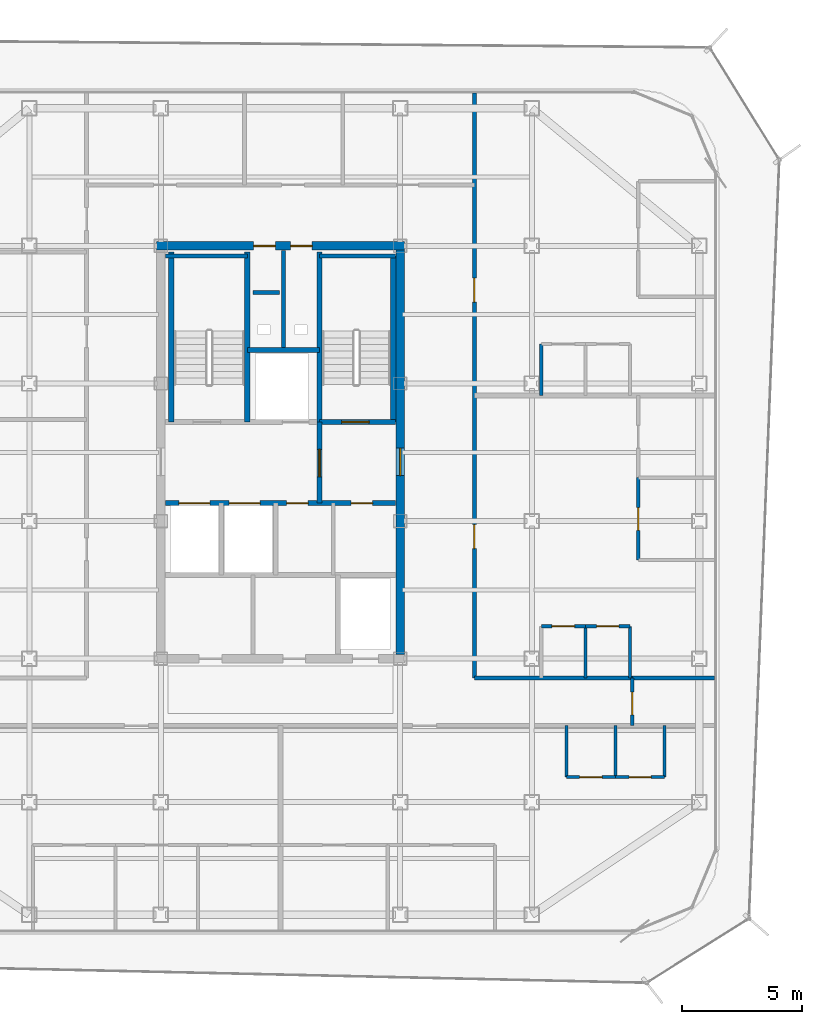
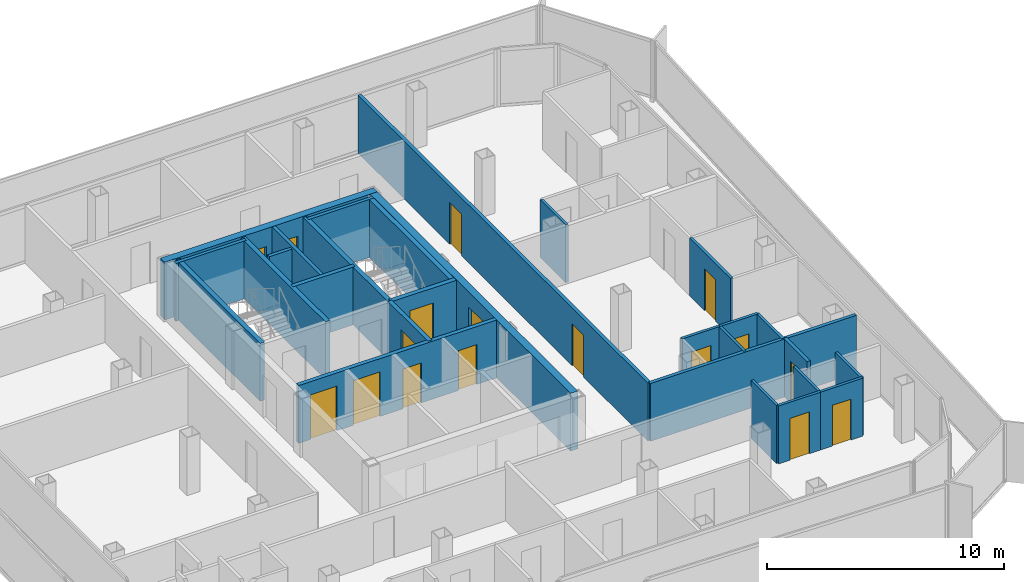
# One storey, part 11 of 15: 29 walls, 17 doors, 17 openings.
"""IFC4 building model written with IfcOpenShell, lengths in metres."""

from ifc_helpers import new_model, si_unit, direction, frame, frame_2d, origin, place, context, subcontext, project, spatial, rectangle, extrude, material, layer, layer_set, type_object, element, fill, save


model = new_model("IFC4")

# Units and contexts
model_context = context("Model", 3, precision=1e-05, world=origin(), true_north=direction((0.0, 1.0)))
body_context = subcontext(model_context, "Body", "Model", "MODEL_VIEW")
ifc_project = project(units=[si_unit("LENGTHUNIT", "METRE"), si_unit("AREAUNIT", "SQUARE_METRE"), si_unit("VOLUMEUNIT", "CUBIC_METRE"), si_unit("PLANEANGLEUNIT", "RADIAN"), si_unit("MASSUNIT", "GRAM", prefix="KILO")], contexts=[model_context])

# Site, building, storey
site_placement = place(None, origin())
site = spatial("IfcSite", under=ifc_project, at=site_placement, CompositionType="ELEMENT")
building_placement = place(site_placement, origin())
building = spatial("IfcBuilding", under=site, at=building_placement, Name="Kolveth Station Tower", CompositionType="ELEMENT")
storey_placement = place(building_placement, frame((0.0, 0.0, 239.300048828125)))
storey = spatial("IfcBuildingStorey", under=building, at=storey_placement, Name="L68", CompositionType="ELEMENT", Elevation=239.300048828125)

# Wall, openings, doors
ifc_material_1 = material(Name="Concrete C50/60", Category="concrete")
ifc_layer_1 = layer(ifc_material_1, 0.35009765625)
ifc_layer_set_1 = layer_set([ifc_layer_1], Name="Concrete C50/60")
wall_type_1 = type_object("IfcWallType", Name="Wall_CW-350", PredefinedType="SHEAR", material=ifc_layer_set_1)
wall_1_placement = place(storey_placement, frame((18.324951171875, 28.75, 0.0), z_axis=(0.0, 0.0, 1.0), x_axis=(1.0, 0.0, 0.0)))
wall_1 = element("IfcWall", 1, at=wall_1_placement, inside=storey, type_object=wall_type_1, Name="L68 Core RC Shear Wall N", PredefinedType="SHEAR", context=body_context, shape_type="SweptSolid", body=[
    extrude(rectangle(XDim=10.35009765625, YDim=0.35009765625, at=frame_2d((5.175048828125, 0.0))), origin(), (0.0, 0.0, 1.0), 2.97998046875),
])
opening_1_placement = place(wall_1_placement, frame((4.054931640625, 0.0, 0.0)))
opening_1 = element("IfcOpeningElement", 2, at=opening_1_placement, cuts=wall_1, Name="Opening RD1", PredefinedType="OPENING", context=body_context, shape_type="SweptSolid", body=[
    extrude(rectangle(XDim=0.89990234375, YDim=2.050048828125, at=frame_2d((0.449951171875, 1.02490234375))), frame((0.0, 0.18505859375, 0.0), z_axis=(0.0, -1.0, 0.0), x_axis=(1.0, 0.0, 0.0)), (0.0, 0.0, 1.0), 0.3701171875),
])
opening_2_placement = place(wall_1_placement, frame((5.594970703125, 0.0, 0.0)))
opening_2 = element("IfcOpeningElement", 3, at=opening_2_placement, cuts=wall_1, Name="Opening RD1", PredefinedType="OPENING", context=body_context, shape_type="SweptSolid", body=[
    extrude(rectangle(XDim=0.89990234375, YDim=2.050048828125, at=frame_2d((0.449951171875, 1.02490234375))), frame((0.0, 0.18505859375, 0.0), z_axis=(0.0, -1.0, 0.0), x_axis=(1.0, 0.0, 0.0)), (0.0, 0.0, 1.0), 0.3701171875),
])
ifc_material_2 = material(Name="Fire-rated Steel S355 riser access leaf", Category="steel")
door_type_1 = type_object("IfcDoorType", Name="Door_RD1", OperationType="NOTDEFINED", PredefinedType="DOOR", material=ifc_material_2)
door_1_placement = place(opening_1_placement, origin())
door_1 = element("IfcDoor", 4, at=door_1_placement, inside=storey, type_object=door_type_1, Name="L68 Electrical Riser Access Door", OperationType="SINGLE_SWING_RIGHT", OverallHeight=2.050048828125, OverallWidth=0.89990234375, PredefinedType="DOOR", context=body_context, shape_type="SweptSolid", body=[
    extrude(rectangle(XDim=0.89990234375, YDim=2.050048828125, at=frame_2d((0.449951171875, 1.02490234375))), frame((0.0, 0.02490234375, 0.0), z_axis=(0.0, -1.0, 0.0), x_axis=(1.0, 0.0, 0.0)), (0.0, 0.0, 1.0), 0.050048828125),
])
fill(opening_1, door_1)
door_2_placement = place(opening_2_placement, origin())
door_2 = element("IfcDoor", 5, at=door_2_placement, inside=storey, type_object=door_type_1, Name="L68 Smoke Duct Access Door", OperationType="SINGLE_SWING_LEFT", OverallHeight=2.050048828125, OverallWidth=0.89990234375, PredefinedType="DOOR", context=body_context, shape_type="SweptSolid", body=[
    extrude(rectangle(XDim=0.89990234375, YDim=2.050048828125, at=frame_2d((0.449951171875, 1.02490234375))), frame((0.0, 0.02490234375, 0.0), z_axis=(0.0, -1.0, 0.0), x_axis=(1.0, 0.0, 0.0)), (0.0, 0.0, 1.0), 0.050048828125),
])
fill(opening_2, door_2)

# Wall, opening, door
wall_2_placement = place(storey_placement, frame((28.5, 11.675048828125, 0.0), z_axis=(0.0, 0.0, 1.0), x_axis=(0.0, 1.0, 0.0)))
wall_2 = element("IfcWall", 6, at=wall_2_placement, inside=storey, type_object=wall_type_1, Name="L68 Core RC Shear Wall E", PredefinedType="SHEAR", context=body_context, shape_type="SweptSolid", body=[
    extrude(rectangle(XDim=16.89990234375, YDim=0.35009765625, at=frame_2d((8.449951171875, 0.0))), origin(), (0.0, 0.0, 1.0), 2.97998046875),
])
opening_3_placement = place(wall_2_placement, frame((7.47509765625, 0.0, 0.0)))
opening_3 = element("IfcOpeningElement", 7, at=opening_3_placement, cuts=wall_2, Name="Opening FD1", PredefinedType="OPENING", context=body_context, shape_type="SweptSolid", body=[
    extrude(rectangle(XDim=1.14990234375, YDim=2.199951171875, at=frame_2d((0.574951171875, 1.10009765625))), frame((0.0, 0.18505859375, 0.0), z_axis=(0.0, -1.0, 0.0), x_axis=(1.0, 0.0, 0.0)), (0.0, 0.0, 1.0), 0.3701171875),
])
ifc_material_3 = material(Name="Fire-rated Steel S355 leaf and frame", Category="steel")
door_type_2 = type_object("IfcDoorType", Name="Door_FD1", OperationType="NOTDEFINED", PredefinedType="DOOR", material=ifc_material_3)
door_3_placement = place(opening_3_placement, origin())
door_3 = element("IfcDoor", 8, at=door_3_placement, inside=storey, type_object=door_type_2, Name="L68 East Corridor to Stair Lobby Door", OperationType="SINGLE_SWING_LEFT", OverallHeight=2.199951171875, OverallWidth=1.14990234375, PredefinedType="DOOR", context=body_context, shape_type="SweptSolid", body=[
    extrude(rectangle(XDim=1.14990234375, YDim=2.199951171875, at=frame_2d((0.574951171875, 1.10009765625))), frame((0.0, 0.02490234375, 0.0), z_axis=(0.0, -1.0, 0.0), x_axis=(1.0, 0.0, 0.0)), (0.0, 0.0, 1.0), 0.050048828125),
])
fill(opening_3, door_3)

ifc_material_4 = material(Name="Moisture-resistant gypsum partition")
ifc_layer_2 = layer(ifc_material_4, 0.135009765625)
ifc_layer_set_2 = layer_set([ifc_layer_2], Name="Moisture-resistant gypsum partition")
wall_type_2 = type_object("IfcWallType", Name="Wall_IW-135", PredefinedType="PARTITIONING", material=ifc_layer_set_2)
wall_3_placement = place(storey_placement, frame((35.449951171875, 6.550048828125, 0.0), z_axis=(0.0, 0.0, 1.0), x_axis=(1.0, 0.0, 0.0)))
wall_3 = element("IfcWall", 9, at=wall_3_placement, inside=storey, type_object=wall_type_2, Name="L68 Partition Wall WL-L68-A2-IBHK", PredefinedType="PARTITIONING", context=body_context, shape_type="SweptSolid", body=[
    extrude(rectangle(XDim=2.050048828125, YDim=0.135009765625, at=frame_2d((1.02490234375, 0.0))), origin(), (0.0, 0.0, 1.0), 2.97998046875),
])
opening_4_placement = place(wall_3_placement, frame((0.544921875, 0.0, 0.0)))
opening_4 = element("IfcOpeningElement", 10, at=opening_4_placement, cuts=wall_3, Name="Opening ID1", PredefinedType="OPENING", context=body_context, shape_type="SweptSolid", body=[
    extrude(rectangle(XDim=0.949951171875, YDim=2.14990234375, at=frame_2d((0.47509765625, 1.074951171875))), frame((0.0, 0.077392578125, 0.0), z_axis=(0.0, -1.0, 0.0), x_axis=(1.0, 0.0, 0.0)), (0.0, 0.0, 1.0), 0.155029296875),
])
ifc_material_5 = material(Name="Acoustic hardwood leaf and aluminium frame", Category="wood")
door_type_3 = type_object("IfcDoorType", Name="Door_ID1", OperationType="NOTDEFINED", PredefinedType="DOOR", material=ifc_material_5)
door_4_placement = place(opening_4_placement, origin())
door_4 = element("IfcDoor", 11, at=door_4_placement, inside=storey, type_object=door_type_3, Name="Penthouse Flat L68-A2 Kitchen Door", OperationType="SINGLE_SWING_RIGHT", OverallHeight=2.14990234375, OverallWidth=0.949951171875, PredefinedType="DOOR", context=body_context, shape_type="SweptSolid", body=[
    extrude(rectangle(XDim=0.949951171875, YDim=2.14990234375, at=frame_2d((0.47509765625, 1.074951171875))), frame((0.0, 0.02490234375, 0.0), z_axis=(0.0, -1.0, 0.0), x_axis=(1.0, 0.0, 0.0)), (0.0, 0.0, 1.0), 0.050048828125),
])
fill(opening_4, door_4)

wall_4_placement = place(storey_placement, frame((37.5, 6.550048828125, 0.0), z_axis=(0.0, 0.0, 1.0), x_axis=(1.0, 0.0, 0.0)))
wall_4 = element("IfcWall", 12, at=wall_4_placement, inside=storey, type_object=wall_type_2, Name="L68 Partition Wall WL-L68-A2-IBHB", PredefinedType="PARTITIONING", context=body_context, shape_type="SweptSolid", body=[
    extrude(rectangle(XDim=2.050048828125, YDim=0.135009765625, at=frame_2d((1.02490234375, 0.0))), origin(), (0.0, 0.0, 1.0), 2.97998046875),
])
opening_5_placement = place(wall_4_placement, frame((0.56494140625, 0.0, 0.0)))
opening_5 = element("IfcOpeningElement", 13, at=opening_5_placement, cuts=wall_4, Name="Opening ID2", PredefinedType="OPENING", context=body_context, shape_type="SweptSolid", body=[
    extrude(rectangle(XDim=0.919921875, YDim=2.10009765625, at=frame_2d((0.4599609375, 1.050048828125))), frame((0.0, 0.077392578125, 0.0), z_axis=(0.0, -1.0, 0.0), x_axis=(1.0, 0.0, 0.0)), (0.0, 0.0, 1.0), 0.155029296875),
])
ifc_material_6 = material(Name="Moisture-resistant hardwood leaf", Category="wood")
door_type_4 = type_object("IfcDoorType", Name="Door_ID2", OperationType="NOTDEFINED", PredefinedType="DOOR", material=ifc_material_6)
door_5_placement = place(opening_5_placement, origin())
door_5 = element("IfcDoor", 14, at=door_5_placement, inside=storey, type_object=door_type_4, Name="Penthouse Flat L68-A2 Bathroom Door", OperationType="SINGLE_SWING_LEFT", OverallHeight=2.10009765625, OverallWidth=0.919921875, PredefinedType="DOOR", context=body_context, shape_type="SweptSolid", body=[
    extrude(rectangle(XDim=0.919921875, YDim=2.10009765625, at=frame_2d((0.4599609375, 1.050048828125))), frame((0.0, 0.02490234375, 0.0), z_axis=(0.0, -1.0, 0.0), x_axis=(1.0, 0.0, 0.0)), (0.0, 0.0, 1.0), 0.050048828125),
])
fill(opening_5, door_5)

# Walls
for number, where, z_axis, x_axis, name in (
    (15, (35.449951171875, 6.550048828125, 0.0), (0.0, 0.0, 1.0), (0.0, 1.0, 0.0), "L68 Partition Wall WL-L68-A2-IBV0"),
    (16, (37.5, 6.550048828125, 0.0), (0.0, 0.0, 1.0), (0.0, 1.0, 0.0), "L68 Partition Wall WL-L68-A2-IBV1"),
    (17, (39.550048828125, 6.550048828125, 0.0), (0.0, 0.0, 1.0), (0.0, 1.0, 0.0), "L68 Partition Wall WL-L68-A2-IBV2"),
):
    element("IfcWall", number, at=place(storey_placement, frame(where, z_axis=z_axis, x_axis=x_axis)), inside=storey, type_object=wall_type_2, Name=name, PredefinedType="PARTITIONING", context=body_context, shape_type="SweptSolid", body=[
        extrude(rectangle(XDim=2.14990234375, YDim=0.135009765625, at=frame_2d((1.074951171875, 0.0))), origin(), (0.0, 0.0, 1.0), 2.97998046875),
    ])

# Wall, opening, door
wall_5_placement = place(storey_placement, frame((34.39990234375, 12.85009765625, 0.0), z_axis=(0.0, 0.0, 1.0), x_axis=(1.0, 0.0, 0.0)))
wall_5 = element("IfcWall", 18, at=wall_5_placement, inside=storey, type_object=wall_type_2, Name="L68 Partition Wall WL-L68-E1-IBHK", PredefinedType="PARTITIONING", context=body_context, shape_type="SweptSolid", body=[
    extrude(rectangle(XDim=1.85009765625, YDim=0.135009765625, at=frame_2d((0.925048828125, 0.0))), origin(), (0.0, 0.0, 1.0), 2.97998046875),
])
opening_6_placement = place(wall_5_placement, frame((0.445068359375, 0.0, 0.0)))
opening_6 = element("IfcOpeningElement", 19, at=opening_6_placement, cuts=wall_5, Name="Opening ID1", PredefinedType="OPENING", context=body_context, shape_type="SweptSolid", body=[
    extrude(rectangle(XDim=0.949951171875, YDim=2.14990234375, at=frame_2d((0.47509765625, 1.074951171875))), frame((0.0, 0.077392578125, 0.0), z_axis=(0.0, -1.0, 0.0), x_axis=(1.0, 0.0, 0.0)), (0.0, 0.0, 1.0), 0.155029296875),
])
door_6_placement = place(opening_6_placement, origin())
door_6 = element("IfcDoor", 20, at=door_6_placement, inside=storey, type_object=door_type_3, Name="Penthouse Flat L68-E1 Kitchen Door", OperationType="SINGLE_SWING_RIGHT", OverallHeight=2.14990234375, OverallWidth=0.949951171875, PredefinedType="DOOR", context=body_context, shape_type="SweptSolid", body=[
    extrude(rectangle(XDim=0.949951171875, YDim=2.14990234375, at=frame_2d((0.47509765625, 1.074951171875))), frame((0.0, 0.02490234375, 0.0), z_axis=(0.0, -1.0, 0.0), x_axis=(1.0, 0.0, 0.0)), (0.0, 0.0, 1.0), 0.050048828125),
])
fill(opening_6, door_6)

wall_6_placement = place(storey_placement, frame((36.25, 12.85009765625, 0.0), z_axis=(0.0, 0.0, 1.0), x_axis=(1.0, 0.0, 0.0)))
wall_6 = element("IfcWall", 21, at=wall_6_placement, inside=storey, type_object=wall_type_2, Name="L68 Partition Wall WL-L68-E1-IBHB", PredefinedType="PARTITIONING", context=body_context, shape_type="SweptSolid", body=[
    extrude(rectangle(XDim=1.85009765625, YDim=0.135009765625, at=frame_2d((0.925048828125, 0.0))), origin(), (0.0, 0.0, 1.0), 2.97998046875),
])
opening_7_placement = place(wall_6_placement, frame((0.465087890625, 0.0, 0.0)))
opening_7 = element("IfcOpeningElement", 22, at=opening_7_placement, cuts=wall_6, Name="Opening ID2", PredefinedType="OPENING", context=body_context, shape_type="SweptSolid", body=[
    extrude(rectangle(XDim=0.919921875, YDim=2.10009765625, at=frame_2d((0.4599609375, 1.050048828125))), frame((0.0, 0.077392578125, 0.0), z_axis=(0.0, -1.0, 0.0), x_axis=(1.0, 0.0, 0.0)), (0.0, 0.0, 1.0), 0.155029296875),
])
door_7_placement = place(opening_7_placement, origin())
door_7 = element("IfcDoor", 23, at=door_7_placement, inside=storey, type_object=door_type_4, Name="Penthouse Flat L68-E1 Bathroom Door", OperationType="SINGLE_SWING_LEFT", OverallHeight=2.10009765625, OverallWidth=0.919921875, PredefinedType="DOOR", context=body_context, shape_type="SweptSolid", body=[
    extrude(rectangle(XDim=0.919921875, YDim=2.10009765625, at=frame_2d((0.4599609375, 1.050048828125))), frame((0.0, 0.02490234375, 0.0), z_axis=(0.0, -1.0, 0.0), x_axis=(1.0, 0.0, 0.0)), (0.0, 0.0, 1.0), 0.050048828125),
])
fill(opening_7, door_7)

# Walls
for number, where, z_axis, x_axis, name in (
    (24, (36.25, 10.699951171875, 0.0), (0.0, 0.0, 1.0), (0.0, 1.0, 0.0), "L68 Partition Wall WL-L68-E1-IBV1"),
    (25, (38.10009765625, 10.699951171875, 0.0), (0.0, 0.0, 1.0), (0.0, 1.0, 0.0), "L68 Partition Wall WL-L68-E1-IBV2"),
):
    element("IfcWall", number, at=place(storey_placement, frame(where, z_axis=z_axis, x_axis=x_axis)), inside=storey, type_object=wall_type_2, Name=name, PredefinedType="PARTITIONING", context=body_context, shape_type="SweptSolid", body=[
        extrude(rectangle(XDim=2.150146484375, YDim=0.135009765625, at=frame_2d((1.0751953125, 0.0))), origin(), (0.0, 0.0, 1.0), 2.97998046875),
    ])

# Wall, opening, door
wall_7_placement = place(storey_placement, frame((38.449951171875, 15.6240234375, 0.0), z_axis=(0.0, 0.0, 1.0), x_axis=(0.0, 1.0, 0.0)))
wall_7 = element("IfcWall", 26, at=wall_7_placement, inside=storey, type_object=wall_type_2, Name="L68 Partition Wall WL-L68-E1-BDV1", PredefinedType="PARTITIONING", context=body_context, shape_type="SweptSolid", body=[
    extrude(rectangle(XDim=3.43798828125, YDim=0.135009765625, at=frame_2d((1.718994140625, 0.0))), origin(), (0.0, 0.0, 1.0), 2.97998046875),
])
opening_8_placement = place(wall_7_placement, frame((1.239013671875, 0.0, 0.0)))
opening_8 = element("IfcOpeningElement", 27, at=opening_8_placement, cuts=wall_7, Name="Opening ID1", PredefinedType="OPENING", context=body_context, shape_type="SweptSolid", body=[
    extrude(rectangle(XDim=0.949951171875, YDim=2.14990234375, at=frame_2d((0.47509765625, 1.074951171875))), frame((0.0, 0.077392578125, 0.0), z_axis=(0.0, -1.0, 0.0), x_axis=(1.0, 0.0, 0.0)), (0.0, 0.0, 1.0), 0.155029296875),
])
door_8_placement = place(opening_8_placement, frame((0.949951171875, 0.0, 0.0), z_axis=(0.0, 0.0, 1.0), x_axis=(-1.0, 0.0, 0.0)))
door_8 = element("IfcDoor", 28, at=door_8_placement, inside=storey, type_object=door_type_3, Name="Penthouse Flat L68-E1 Bedroom 1 Door", OperationType="SINGLE_SWING_RIGHT", OverallHeight=2.14990234375, OverallWidth=0.949951171875, PredefinedType="DOOR", context=body_context, shape_type="SweptSolid", body=[
    extrude(rectangle(XDim=0.949951171875, YDim=2.14990234375, at=frame_2d((0.47509765625, 1.074951171875))), frame((0.0, 0.02490234375, 0.0), z_axis=(0.0, -1.0, 0.0), x_axis=(1.0, 0.0, 0.0)), (0.0, 0.0, 1.0), 0.050048828125),
])
fill(opening_8, door_8)

# Walls
wall_8_placement = place(storey_placement, frame((34.39990234375, 22.5, 0.0), z_axis=(0.0, 0.0, 1.0), x_axis=(0.0, 1.0, 0.0)))
element("IfcWall", 29, at=wall_8_placement, inside=storey, type_object=wall_type_2, Name="L68 Partition Wall WL-L68-E2-IBV0", PredefinedType="PARTITIONING", context=body_context, shape_type="SweptSolid", body=[
    extrude(rectangle(XDim=2.14990234375, YDim=0.135009765625, at=frame_2d((1.074951171875, 0.0))), origin(), (0.0, 0.0, 1.0), 2.97998046875),
])
ifc_material_7 = material(Name="Acoustic double-stud gypsum partition")
ifc_layer_3 = layer(ifc_material_7, 0.1650390625)
ifc_layer_set_3 = layer_set([ifc_layer_3], Name="Acoustic double-stud gypsum partition")
wall_type_3 = type_object("IfcWallType", Name="Wall_IW-165", PredefinedType="PARTITIONING", material=ifc_layer_set_3)
wall_9_placement = place(storey_placement, frame((18.68505859375, 28.3349609375, 0.0), z_axis=(0.0, 0.0, 1.0), x_axis=(1.0, 0.0, 0.0)))
element("IfcWall", 30, at=wall_9_placement, inside=storey, type_object=wall_type_3, Name="L68 Stair Shaft Wall WL-L68-ST1-N", PredefinedType="PARTITIONING", context=body_context, shape_type="SweptSolid", body=[
    extrude(rectangle(XDim=3.425048828125, YDim=0.1650390625, at=frame_2d((1.71240234375, 0.0))), origin(), (0.0, 0.0, 1.0), 2.97998046875),
])
wall_10_placement = place(storey_placement, frame((25.1298828125, 28.3349609375, 0.0), z_axis=(0.0, 0.0, 1.0), x_axis=(1.0, 0.0, 0.0)))
element("IfcWall", 31, at=wall_10_placement, inside=storey, type_object=wall_type_3, Name="L68 Stair Shaft Wall WL-L68-ST2-N", PredefinedType="PARTITIONING", context=body_context, shape_type="SweptSolid", body=[
    extrude(rectangle(XDim=3.18505859375, YDim=0.1650390625, at=frame_2d((1.592529296875, 0.0))), origin(), (0.0, 0.0, 1.0), 2.97998046875),
])
wall_11_placement = place(storey_placement, frame((23.6201171875, 24.39990234375, 0.0), z_axis=(0.0, 0.0, 1.0), x_axis=(0.0, 1.0, 0.0)))
element("IfcWall", 32, at=wall_11_placement, inside=storey, type_object=wall_type_3, Name="L68 Partition Wall WL-L68-RSR-M", PredefinedType="PARTITIONING", context=body_context, shape_type="SweptSolid", body=[
    extrude(rectangle(XDim=4.1650390625, YDim=0.1650390625, at=frame_2d((2.08251953125, 0.0))), origin(), (0.0, 0.0, 1.0), 2.97998046875),
])
wall_12_placement = place(storey_placement, frame((31.60009765625, 10.699951171875, 0.0), z_axis=(0.0, 0.0, 1.0), x_axis=(1.0, 0.0, 0.0)))
element("IfcWall", 33, at=wall_12_placement, inside=storey, type_object=wall_type_3, Name="L68 Partition Wall WL-L68-RSET", PredefinedType="PARTITIONING", context=body_context, shape_type="SweptSolid", body=[
    extrude(rectangle(XDim=6.599853515625, YDim=0.1650390625, at=frame_2d((3.2998046875, 0.0))), origin(), (0.0, 0.0, 1.0), 2.97998046875),
])

# Wall, opening, door
wall_13_placement = place(storey_placement, frame((38.199951171875, 8.699951171875, 0.0), z_axis=(0.0, 0.0, 1.0), x_axis=(0.0, 1.0, 0.0)))
wall_13 = element("IfcWall", 34, at=wall_13_placement, inside=storey, type_object=wall_type_3, Name="L68 Partition Wall WL-L68-RSEE", PredefinedType="PARTITIONING", context=body_context, shape_type="SweptSolid", body=[
    extrude(rectangle(XDim=2.0, YDim=0.1650390625, at=frame_2d((1.0, 0.0))), origin(), (0.0, 0.0, 1.0), 2.97998046875),
])
opening_9_placement = place(wall_13_placement, frame((0.449951171875, 0.0, 0.0)))
opening_9 = element("IfcOpeningElement", 35, at=opening_9_placement, cuts=wall_13, Name="Opening ID1", PredefinedType="OPENING", context=body_context, shape_type="SweptSolid", body=[
    extrude(rectangle(XDim=0.949951171875, YDim=2.14990234375, at=frame_2d((0.47509765625, 1.074951171875))), frame((0.0, 0.092529296875, 0.0), z_axis=(0.0, -1.0, 0.0), x_axis=(1.0, 0.0, 0.0)), (0.0, 0.0, 1.0), 0.18505859375),
])
door_9_placement = place(opening_9_placement, origin())
door_9 = element("IfcDoor", 36, at=door_9_placement, inside=storey, type_object=door_type_3, Name="L68 Hobby Study Door", OperationType="SINGLE_SWING_RIGHT", OverallHeight=2.14990234375, OverallWidth=0.949951171875, PredefinedType="DOOR", context=body_context, shape_type="SweptSolid", body=[
    extrude(rectangle(XDim=0.949951171875, YDim=2.14990234375, at=frame_2d((0.47509765625, 1.074951171875))), frame((0.0, 0.02490234375, 0.0), z_axis=(0.0, -1.0, 0.0), x_axis=(1.0, 0.0, 0.0)), (0.0, 0.0, 1.0), 0.050048828125),
])
fill(opening_9, door_9)

# Wall, openings, doors
wall_14_placement = place(storey_placement, frame((31.60009765625, 10.699951171875, 0.0), z_axis=(0.0, 0.0, 1.0), x_axis=(0.0, 1.0, 0.0)))
wall_14 = element("IfcWall", 37, at=wall_14_placement, inside=storey, type_object=wall_type_3, Name="L68 Partition Wall WL-L68-RE", PredefinedType="PARTITIONING", context=body_context, shape_type="SweptSolid", body=[
    extrude(rectangle(XDim=24.43994140625, YDim=0.1650390625, at=frame_2d((12.219970703125, 0.0))), origin(), (0.0, 0.0, 1.0), 2.97998046875),
])
opening_10_placement = place(wall_14_placement, frame((5.39990234375, 0.0, 0.0)))
opening_10 = element("IfcOpeningElement", 38, at=opening_10_placement, cuts=wall_14, Name="Opening FD3", PredefinedType="OPENING", context=body_context, shape_type="SweptSolid", body=[
    extrude(rectangle(XDim=1.0, YDim=2.14990234375, at=frame_2d((0.5, 1.074951171875))), frame((0.0, 0.092529296875, 0.0), z_axis=(0.0, -1.0, 0.0), x_axis=(1.0, 0.0, 0.0)), (0.0, 0.0, 1.0), 0.18505859375),
])
opening_11_placement = place(wall_14_placement, frame((15.699951171875, 0.0, 0.0)))
opening_11 = element("IfcOpeningElement", 39, at=opening_11_placement, cuts=wall_14, Name="Opening FD3", PredefinedType="OPENING", context=body_context, shape_type="SweptSolid", body=[
    extrude(rectangle(XDim=1.0, YDim=2.14990234375, at=frame_2d((0.5, 1.074951171875))), frame((0.0, 0.092529296875, 0.0), z_axis=(0.0, -1.0, 0.0), x_axis=(1.0, 0.0, 0.0)), (0.0, 0.0, 1.0), 0.18505859375),
])
ifc_material_8 = material(Name="Fire-rated hardwood leaf and aluminium frame", Category="wood")
door_type_5 = type_object("IfcDoorType", Name="Door_FD3", OperationType="NOTDEFINED", PredefinedType="DOOR", material=ifc_material_8)
door_10_placement = place(opening_10_placement, frame((1.0, 0.0, 0.0), z_axis=(0.0, 0.0, 1.0), x_axis=(-1.0, 0.0, 0.0)))
door_10 = element("IfcDoor", 40, at=door_10_placement, inside=storey, type_object=door_type_5, Name="Penthouse Flat L68-E1 Entrance Door", OperationType="SINGLE_SWING_RIGHT", OverallHeight=2.14990234375, OverallWidth=1.0, PredefinedType="DOOR", context=body_context, shape_type="SweptSolid", body=[
    extrude(rectangle(XDim=1.0, YDim=2.14990234375, at=frame_2d((0.5, 1.074951171875))), frame((0.0, 0.02490234375, 0.0), z_axis=(0.0, -1.0, 0.0), x_axis=(1.0, 0.0, 0.0)), (0.0, 0.0, 1.0), 0.050048828125),
])
fill(opening_10, door_10)
door_11_placement = place(opening_11_placement, frame((1.0, 0.0, 0.0), z_axis=(0.0, 0.0, 1.0), x_axis=(-1.0, 0.0, 0.0)))
door_11 = element("IfcDoor", 41, at=door_11_placement, inside=storey, type_object=door_type_5, Name="Penthouse Flat L68-E2 Entrance Door", OperationType="SINGLE_SWING_LEFT", OverallHeight=2.14990234375, OverallWidth=1.0, PredefinedType="DOOR", context=body_context, shape_type="SweptSolid", body=[
    extrude(rectangle(XDim=1.0, YDim=2.14990234375, at=frame_2d((0.5, 1.074951171875))), frame((0.0, 0.02490234375, 0.0), z_axis=(0.0, -1.0, 0.0), x_axis=(1.0, 0.0, 0.0)), (0.0, 0.0, 1.0), 0.050048828125),
])
fill(opening_11, door_11)

# Walls
wall_15_placement = place(storey_placement, frame((38.199951171875, 10.699951171875, 0.0), z_axis=(0.0, 0.0, 1.0), x_axis=(1.0, 0.0, 0.0)))
element("IfcWall", 42, at=wall_15_placement, inside=storey, type_object=wall_type_3, Name="L68 Partition Wall WL-L68-ESTN", PredefinedType="PARTITIONING", context=body_context, shape_type="SweptSolid", body=[
    extrude(rectangle(XDim=3.43994140625, YDim=0.1650390625, at=frame_2d((1.719970703125, 0.0))), origin(), (0.0, 0.0, 1.0), 2.97998046875),
])
wall_16_placement = place(storey_placement, frame((22.35009765625, 26.800048828125, 0.0), z_axis=(0.0, 0.0, 1.0), x_axis=(1.0, 0.0, 0.0)))
element("IfcWall", 43, at=wall_16_placement, inside=storey, type_object=wall_type_3, Name="L68 Acoustic Riser Dry-Lining Wall", PredefinedType="PARTITIONING", context=body_context, shape_type="SweptSolid", body=[
    extrude(rectangle(XDim=1.099853515625, YDim=0.1650390625, at=frame_2d((0.5498046875, 0.0))), origin(), (0.0, 0.0, 1.0), 2.97998046875),
])
ifc_material_9 = material(Name="Acoustic fire-rated gypsum blockwork", Category="masonry")
ifc_layer_4 = layer(ifc_material_9, 0.199951171875)
ifc_layer_set_4 = layer_set([ifc_layer_4], Name="Acoustic fire-rated gypsum blockwork")
wall_type_4 = type_object("IfcWallType", Name="Wall_IW-200", PredefinedType="PARTITIONING", material=ifc_layer_set_4)
wall_17_placement = place(storey_placement, frame((22.110107421875, 24.39990234375, 0.0), z_axis=(0.0, 0.0, 1.0), x_axis=(1.0, 0.0, 0.0)))
element("IfcWall", 44, at=wall_17_placement, inside=storey, type_object=wall_type_4, Name="L68 Partition Wall WL-L68-RSR-S", PredefinedType="PARTITIONING", context=body_context, shape_type="SweptSolid", body=[
    extrude(rectangle(XDim=3.019775390625, YDim=0.199951171875, at=frame_2d((1.509765625, 0.0))), origin(), (0.0, 0.0, 1.0), 2.97998046875),
])

# Wall, opening, door
wall_18_placement = place(storey_placement, frame((25.1298828125, 18.0, 0.0), z_axis=(0.0, 0.0, 1.0), x_axis=(0.0, 1.0, 0.0)))
wall_18 = element("IfcWall", 45, at=wall_18_placement, inside=storey, type_object=wall_type_4, Name="L68 Partition Wall WL-L68-FFL-E", PredefinedType="PARTITIONING", context=body_context, shape_type="SweptSolid", body=[
    extrude(rectangle(XDim=3.389892578125, YDim=0.199951171875, at=frame_2d((1.69482421875, 0.0))), origin(), (0.0, 0.0, 1.0), 2.97998046875),
])
opening_12_placement = place(wall_18_placement, frame((1.10009765625, 0.0, 0.0)))
opening_12 = element("IfcOpeningElement", 46, at=opening_12_placement, cuts=wall_18, Name="Opening FD1", PredefinedType="OPENING", context=body_context, shape_type="SweptSolid", body=[
    extrude(rectangle(XDim=1.14990234375, YDim=2.199951171875, at=frame_2d((0.574951171875, 1.10009765625))), frame((0.0, 0.10986328125, 0.0), z_axis=(0.0, -1.0, 0.0), x_axis=(1.0, 0.0, 0.0)), (0.0, 0.0, 1.0), 0.219970703125),
])
door_12_placement = place(opening_12_placement, origin())
door_12 = element("IfcDoor", 47, at=door_12_placement, inside=storey, type_object=door_type_2, Name="L68 Firefighting to Stair Lobby Door", OperationType="SINGLE_SWING_LEFT", OverallHeight=2.199951171875, OverallWidth=1.14990234375, PredefinedType="DOOR", context=body_context, shape_type="SweptSolid", body=[
    extrude(rectangle(XDim=1.14990234375, YDim=2.199951171875, at=frame_2d((0.574951171875, 1.10009765625))), frame((0.0, 0.02490234375, 0.0), z_axis=(0.0, -1.0, 0.0), x_axis=(1.0, 0.0, 0.0)), (0.0, 0.0, 1.0), 0.050048828125),
])
fill(opening_12, door_12)

# Wall, openings, doors
wall_19_placement = place(storey_placement, frame((18.68505859375, 18.0, 0.0), z_axis=(0.0, 0.0, 1.0), x_axis=(1.0, 0.0, 0.0)))
wall_19 = element("IfcWall", 48, at=wall_19_placement, inside=storey, type_object=wall_type_4, Name="L68 Partition Wall WL-L68-FFL-S", PredefinedType="PARTITIONING", context=body_context, shape_type="SweptSolid", body=[
    extrude(rectangle(XDim=9.6298828125, YDim=0.199951171875, at=frame_2d((4.81494140625, 0.0))), origin(), (0.0, 0.0, 1.0), 2.97998046875),
])
opening_13_placement = place(wall_19_placement, frame((0.56494140625, 0.0, 0.0)))
opening_13 = element("IfcOpeningElement", 49, at=opening_13_placement, cuts=wall_19, Name="Opening LD2", PredefinedType="OPENING", context=body_context, shape_type="SweptSolid", body=[
    extrude(rectangle(XDim=1.300048828125, YDim=2.300048828125, at=frame_2d((0.64990234375, 1.14990234375))), frame((0.0, 0.10986328125, 0.0), z_axis=(0.0, -1.0, 0.0), x_axis=(1.0, 0.0, 0.0)), (0.0, 0.0, 1.0), 0.219970703125),
])
opening_14_placement = place(wall_19_placement, frame((2.6650390625, 0.0, 0.0)))
opening_14 = element("IfcOpeningElement", 50, at=opening_14_placement, cuts=wall_19, Name="Opening LD2", PredefinedType="OPENING", context=body_context, shape_type="SweptSolid", body=[
    extrude(rectangle(XDim=1.300048828125, YDim=2.300048828125, at=frame_2d((0.64990234375, 1.14990234375))), frame((0.0, 0.10986328125, 0.0), z_axis=(0.0, -1.0, 0.0), x_axis=(1.0, 0.0, 0.0)), (0.0, 0.0, 1.0), 0.219970703125),
])
opening_15_placement = place(wall_19_placement, frame((5.06494140625, 0.0, 0.0)))
opening_15 = element("IfcOpeningElement", 51, at=opening_15_placement, cuts=wall_19, Name="Opening RD1", PredefinedType="OPENING", context=body_context, shape_type="SweptSolid", body=[
    extrude(rectangle(XDim=0.89990234375, YDim=2.050048828125, at=frame_2d((0.449951171875, 1.02490234375))), frame((0.0, 0.10986328125, 0.0), z_axis=(0.0, -1.0, 0.0), x_axis=(1.0, 0.0, 0.0)), (0.0, 0.0, 1.0), 0.219970703125),
])
opening_16_placement = place(wall_19_placement, frame((7.764892578125, 0.0, 0.0)))
opening_16 = element("IfcOpeningElement", 52, at=opening_16_placement, cuts=wall_19, Name="Opening RD1", PredefinedType="OPENING", context=body_context, shape_type="SweptSolid", body=[
    extrude(rectangle(XDim=0.89990234375, YDim=2.050048828125, at=frame_2d((0.449951171875, 1.02490234375))), frame((0.0, 0.10986328125, 0.0), z_axis=(0.0, -1.0, 0.0), x_axis=(1.0, 0.0, 0.0)), (0.0, 0.0, 1.0), 0.219970703125),
])
ifc_material_10 = material(Name="Firefighting stainless steel sliding landing doors", Category="steel")
door_type_6 = type_object("IfcDoorType", Name="Door_LD2", OperationType="NOTDEFINED", PredefinedType="DOOR", material=ifc_material_10)
door_13_placement = place(opening_13_placement, origin())
door_13 = element("IfcDoor", 53, at=door_13_placement, inside=storey, type_object=door_type_6, Name="L68 Firefighting Lift FF1 Landing Door", OperationType="DOUBLE_DOOR_SLIDING", OverallHeight=2.300048828125, OverallWidth=1.300048828125, PredefinedType="DOOR", context=body_context, shape_type="SweptSolid", body=[
    extrude(rectangle(XDim=1.300048828125, YDim=2.300048828125, at=frame_2d((0.64990234375, 1.14990234375))), frame((0.0, 0.02490234375, 0.0), z_axis=(0.0, -1.0, 0.0), x_axis=(1.0, 0.0, 0.0)), (0.0, 0.0, 1.0), 0.050048828125),
])
fill(opening_13, door_13)
door_14_placement = place(opening_14_placement, origin())
door_14 = element("IfcDoor", 54, at=door_14_placement, inside=storey, type_object=door_type_6, Name="L68 Firefighting Lift FF2 Landing Door", OperationType="DOUBLE_DOOR_SLIDING", OverallHeight=2.300048828125, OverallWidth=1.300048828125, PredefinedType="DOOR", context=body_context, shape_type="SweptSolid", body=[
    extrude(rectangle(XDim=1.300048828125, YDim=2.300048828125, at=frame_2d((0.64990234375, 1.14990234375))), frame((0.0, 0.02490234375, 0.0), z_axis=(0.0, -1.0, 0.0), x_axis=(1.0, 0.0, 0.0)), (0.0, 0.0, 1.0), 0.050048828125),
])
fill(opening_14, door_14)
door_15_placement = place(opening_15_placement, frame((0.89990234375, 0.0, 0.0), z_axis=(0.0, 0.0, 1.0), x_axis=(-1.0, 0.0, 0.0)))
door_15 = element("IfcDoor", 55, at=door_15_placement, inside=storey, type_object=door_type_1, Name="L68 Core Accessible WC Door", OperationType="SINGLE_SWING_RIGHT", OverallHeight=2.050048828125, OverallWidth=0.89990234375, PredefinedType="DOOR", context=body_context, shape_type="SweptSolid", body=[
    extrude(rectangle(XDim=0.89990234375, YDim=2.050048828125, at=frame_2d((0.449951171875, 1.02490234375))), frame((0.0, 0.02490234375, 0.0), z_axis=(0.0, -1.0, 0.0), x_axis=(1.0, 0.0, 0.0)), (0.0, 0.0, 1.0), 0.050048828125),
])
fill(opening_15, door_15)
door_16_placement = place(opening_16_placement, frame((0.89990234375, 0.0, 0.0), z_axis=(0.0, 0.0, 1.0), x_axis=(-1.0, 0.0, 0.0)))
door_16 = element("IfcDoor", 56, at=door_16_placement, inside=storey, type_object=door_type_1, Name="L68 Core Cleaner Store Door", OperationType="SINGLE_SWING_LEFT", OverallHeight=2.050048828125, OverallWidth=0.89990234375, PredefinedType="DOOR", context=body_context, shape_type="SweptSolid", body=[
    extrude(rectangle(XDim=0.89990234375, YDim=2.050048828125, at=frame_2d((0.449951171875, 1.02490234375))), frame((0.0, 0.02490234375, 0.0), z_axis=(0.0, -1.0, 0.0), x_axis=(1.0, 0.0, 0.0)), (0.0, 0.0, 1.0), 0.050048828125),
])
fill(opening_16, door_16)

# Walls
ifc_material_11 = material(Name="Concrete C40/50", Category="concrete")
ifc_layer_5 = layer(ifc_material_11, 0.219970703125)
ifc_layer_set_5 = layer_set([ifc_layer_5], Name="Concrete C40/50")
wall_type_5 = type_object("IfcWallType", Name="Wall_IW-220", PredefinedType="SOLIDWALL", material=ifc_layer_set_5)
for number, where, z_axis, x_axis, name in (
    (57, (18.929931640625, 21.389892578125, 0.0), (0.0, 0.0, 1.0), (0.0, 1.0, 0.0), "L68 Stair Shaft Wall WL-L68-ST1-W"),
    (58, (22.110107421875, 21.389892578125, 0.0), (0.0, 0.0, 1.0), (0.0, 1.0, 0.0), "L68 Stair Shaft Wall WL-L68-ST1-E"),
    (59, (25.1298828125, 21.389892578125, 0.0), (0.0, 0.0, 1.0), (0.0, 1.0, 0.0), "L68 Stair Shaft Wall WL-L68-ST2-W"),
):
    element("IfcWall", number, at=place(storey_placement, frame(where, z_axis=z_axis, x_axis=x_axis)), inside=storey, type_object=wall_type_5, Name=name, PredefinedType="SOLIDWALL", context=body_context, shape_type="SweptSolid", body=[
        extrude(rectangle(XDim=7.110107421875, YDim=0.219970703125, at=frame_2d((3.55517578125, 0.0))), origin(), (0.0, 0.0, 1.0), 2.97998046875),
    ])
wall_20_placement = place(storey_placement, frame((28.2099609375, 21.389892578125, 0.0), z_axis=(0.0, 0.0, 1.0), x_axis=(0.0, 1.0, 0.0)))
element("IfcWall", 60, at=wall_20_placement, inside=storey, type_object=wall_type_5, Name="L68 Stair Shaft Wall WL-L68-ST2-E", PredefinedType="SOLIDWALL", context=body_context, shape_type="SweptSolid", body=[
    extrude(rectangle(XDim=6.945068359375, YDim=0.219970703125, at=frame_2d((3.47265625, 0.0))), origin(), (0.0, 0.0, 1.0), 2.97998046875),
])

# Wall, opening, door
wall_21_placement = place(storey_placement, frame((25.1298828125, 21.389892578125, 0.0), z_axis=(0.0, 0.0, 1.0), x_axis=(1.0, 0.0, 0.0)))
wall_21 = element("IfcWall", 61, at=wall_21_placement, inside=storey, type_object=wall_type_5, Name="L68 Stair Shaft Wall WL-L68-ST2-S", PredefinedType="SOLIDWALL", context=body_context, shape_type="SweptSolid", body=[
    extrude(rectangle(XDim=3.18505859375, YDim=0.219970703125, at=frame_2d((1.592529296875, 0.0))), origin(), (0.0, 0.0, 1.0), 2.97998046875),
])
opening_17_placement = place(wall_21_placement, frame((0.919921875, 0.0, 0.0)))
opening_17 = element("IfcOpeningElement", 62, at=opening_17_placement, cuts=wall_21, Name="Opening FD1", PredefinedType="OPENING", context=body_context, shape_type="SweptSolid", body=[
    extrude(rectangle(XDim=1.14990234375, YDim=2.199951171875, at=frame_2d((0.574951171875, 1.10009765625))), frame((0.0, 0.119873046875, 0.0), z_axis=(0.0, -1.0, 0.0), x_axis=(1.0, 0.0, 0.0)), (0.0, 0.0, 1.0), 0.239990234375),
])
door_17_placement = place(opening_17_placement, frame((1.14990234375, 0.0, 0.0), z_axis=(0.0, 0.0, 1.0), x_axis=(-1.0, 0.0, 0.0)))
door_17 = element("IfcDoor", 63, at=door_17_placement, inside=storey, type_object=door_type_2, Name="L68 Stair ST2 Fire Door", OperationType="SINGLE_SWING_RIGHT", OverallHeight=2.199951171875, OverallWidth=1.14990234375, PredefinedType="DOOR", context=body_context, shape_type="SweptSolid", body=[
    extrude(rectangle(XDim=1.14990234375, YDim=2.199951171875, at=frame_2d((0.574951171875, 1.10009765625))), frame((0.0, 0.02490234375, 0.0), z_axis=(0.0, -1.0, 0.0), x_axis=(1.0, 0.0, 0.0)), (0.0, 0.0, 1.0), 0.050048828125),
])
fill(opening_17, door_17)

save(model, "model.ifc")
